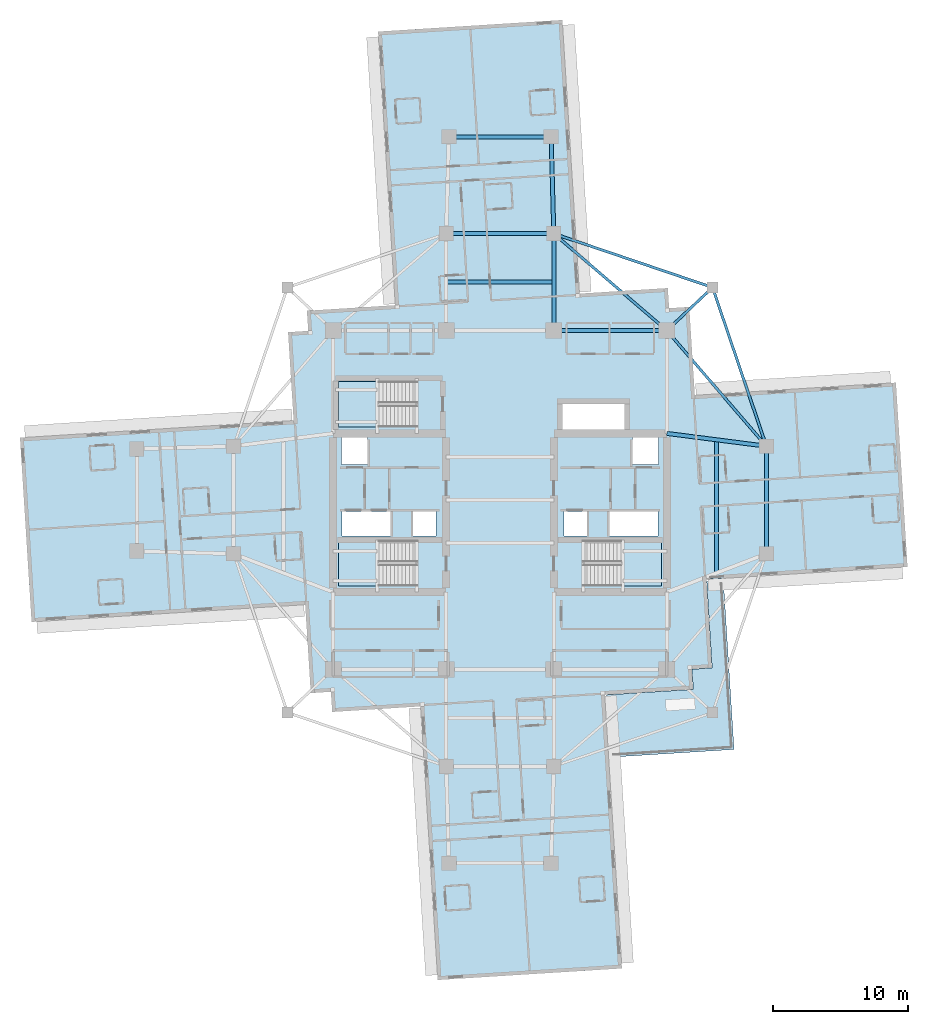
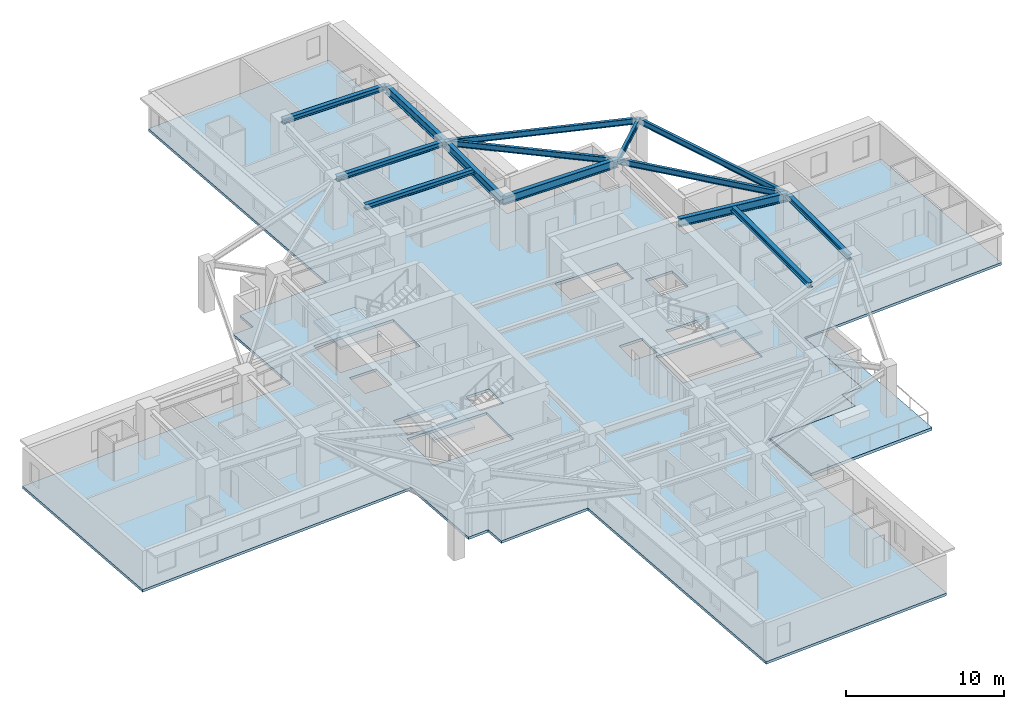
# One storey, part 2 of 14: 14 beams, 5 slabs, 3 elements without a shape of their own.
"""IFC4 building model written with IfcOpenShell, lengths in metres."""

from ifc_helpers import new_model, si_unit, direction, frame, origin, origin_2d, place, context, subcontext, project, spatial, polyline, i_section, outline, extrude, material, layer, layer_set, material_profile, profile_set, type_object, element, aggregate, save


model = new_model("IFC4")

# Units and contexts
model_context = context("Model", 3, precision=1e-05, world=origin(), true_north=direction((0.0, 1.0)))
body_context = subcontext(model_context, "Body", "Model", "MODEL_VIEW")
ifc_project = project(units=[si_unit("LENGTHUNIT", "METRE"), si_unit("AREAUNIT", "SQUARE_METRE"), si_unit("VOLUMEUNIT", "CUBIC_METRE"), si_unit("PLANEANGLEUNIT", "RADIAN"), si_unit("MASSUNIT", "GRAM", prefix="KILO")], contexts=[model_context])

# Site, building, storey
site_placement = place(None, origin())
site = spatial("IfcSite", under=ifc_project, at=site_placement, CompositionType="ELEMENT")
building_placement = place(site_placement, origin())
building = spatial("IfcBuilding", under=site, at=building_placement, Name="Qingluan Cross Belvedere", CompositionType="ELEMENT")
storey_placement = place(building_placement, frame((0.0, 0.0, 120.300048828125)))
storey = spatial("IfcBuildingStorey", under=building, at=storey_placement, Name="L30", CompositionType="ELEMENT", Elevation=120.300048828125)

# Beams
ifc_material_1 = material(Name="Steel Q420GJB", Category="steel")
ifc_material_profile_1 = material_profile(ifc_material_1, i_section(OverallWidth=0.300048828125, OverallDepth=0.389892578125, WebThickness=0.010009765625, FlangeThickness=0.01611328125, FilletRadius=0.01806640625, at=origin_2d()), Name="HM390x300x10x16")
ifc_profile_set_1 = profile_set([ifc_material_profile_1], Name="Steel Q420GJB")
beam_type_1 = type_object("IfcBeamType", Name="Steel_Beam_HM390x300x10x16", PredefinedType="BEAM", material=ifc_profile_set_1)
beam_1_placement = place(storey_placement, frame((19.800048828125, -4.0, 3.5048828125), z_axis=(0.0, 1.0, 0.0), x_axis=(-1.0, 0.0, 0.0)))
element("IfcBeam", 1, at=beam_1_placement, inside=storey, type_object=beam_type_1, Name="Arm E tie L30", PredefinedType="BEAM", context=body_context, shape_type="SweptSolid", body=[
    extrude(i_section(OverallWidth=0.300048828125, OverallDepth=0.389892578125, WebThickness=0.010009765625, FlangeThickness=0.01611328125, FilletRadius=0.01806640625, at=origin_2d()), origin(), (0.0, 0.0, 1.0), 8.0),
])
beam_2_placement = place(storey_placement, frame((16.10009765625, -5.425048828125, 3.5048828125), z_axis=(0.0, 1.0, 0.0), x_axis=(-1.0, 0.0, 0.0)))
element("IfcBeam", 2, at=beam_2_placement, inside=storey, type_object=beam_type_1, Name="Arm E beam L30", PredefinedType="BEAM", context=body_context, shape_type="SweptSolid", body=[
    extrude(i_section(OverallWidth=0.300048828125, OverallDepth=0.389892578125, WebThickness=0.010009765625, FlangeThickness=0.01611328125, FilletRadius=0.01806640625, at=origin_2d()), origin(), (0.0, 0.0, 1.0), 9.900146484375),
])
for number, where, z_axis, x_axis, name in (
    (3, (-4.0, 19.800048828125, 3.5048828125), (1.0, 0.0, 0.0), (0.0, 1.0, 0.0), "Arm N tie L30"),
    (4, (-4.0, 16.199951171875, 3.5048828125), (1.0, 0.0, 0.0), (0.0, 1.0, 0.0), "Arm N beam L30"),
):
    element("IfcBeam", number, at=place(storey_placement, frame(where, z_axis=z_axis, x_axis=x_axis)), inside=storey, type_object=beam_type_1, Name=name, PredefinedType="BEAM", context=body_context, shape_type="SweptSolid", body=[
        extrude(i_section(OverallWidth=0.300048828125, OverallDepth=0.389892578125, WebThickness=0.010009765625, FlangeThickness=0.01611328125, FilletRadius=0.01806640625, at=origin_2d()), origin(), (0.0, 0.0, 1.0), 8.0),
    ])
beam_3_placement = place(storey_placement, frame((-3.800048828125, 27.0, 3.5048828125), z_axis=(1.0, 0.0, 0.0), x_axis=(0.0, 1.0, 0.0)))
element("IfcBeam", 5, at=beam_3_placement, inside=storey, type_object=beam_type_1, Name="Arm N tip transverse beam L30", PredefinedType="BEAM", context=body_context, shape_type="SweptSolid", body=[
    extrude(i_section(OverallWidth=0.300048828125, OverallDepth=0.389892578125, WebThickness=0.010009765625, FlangeThickness=0.01611328125, FilletRadius=0.01806640625, at=origin_2d()), origin(), (0.0, 0.0, 1.0), 7.60009765625),
])
ifc_material_2 = material(Name="Steel Q420GJB", Category="steel")
ifc_material_profile_2 = material_profile(ifc_material_2, i_section(OverallWidth=0.199951171875, OverallDepth=0.449951171875, WebThickness=0.009033203125, FlangeThickness=0.013916015625, FilletRadius=0.01611328125, at=origin_2d()), Name="HN450x200x9x14")
ifc_profile_set_2 = profile_set([ifc_material_profile_2], Name="Steel Q420GJB")
beam_type_2 = type_object("IfcBeamType", Name="Steel_Beam_HN450x200x9x14", PredefinedType="JOIST", material=ifc_profile_set_2)
beam_4_placement = place(storey_placement, frame((12.39990234375, 12.60009765625, 3.474853515625), z_axis=(0.728219948308, 0.685343495546, 0.0), x_axis=(-0.685343495546, 0.728219948308, 0.0)))
element("IfcBeam", 6, at=beam_4_placement, inside=storey, type_object=beam_type_2, Name="Corner beam 1 L30-RNE", PredefinedType="JOIST", context=body_context, shape_type="SweptSolid", body=[
    extrude(i_section(OverallWidth=0.199951171875, OverallDepth=0.449951171875, WebThickness=0.009033203125, FlangeThickness=0.013916015625, FilletRadius=0.01611328125, at=origin_2d()), origin(), (0.0, 0.0, 1.0), 4.669189453125),
])
for number, where, z_axis, x_axis, name in (
    (7, (15.800048828125, 15.800048828125, 3.474853515625), (-0.947066283324, 0.321038089628, 0.0), (-0.321038089628, -0.947066283324, 0.0), "Corner beam 2 L30-RNE"),
    (8, (15.800048828125, 15.800048828125, 3.474853515625), (0.321038089628, -0.947066283324, 0.0), (0.947066283324, 0.321038089628, 0.0), "Corner beam 3 L30-RNE"),
):
    element("IfcBeam", number, at=place(storey_placement, frame(where, z_axis=z_axis, x_axis=x_axis)), inside=storey, type_object=beam_type_2, Name=name, PredefinedType="JOIST", context=body_context, shape_type="SweptSolid", body=[
        extrude(i_section(OverallWidth=0.199951171875, OverallDepth=0.449951171875, WebThickness=0.009033203125, FlangeThickness=0.013916015625, FilletRadius=0.01611328125, at=origin_2d()), origin(), (0.0, 0.0, 1.0), 12.45947265625),
    ])
beam_5_placement = place(storey_placement, frame((12.39990234375, 12.60009765625, 3.474853515625), z_axis=(0.652245077546, -0.75800815221, 0.0), x_axis=(0.75800815221, 0.652245077546, 0.0)))
element("IfcBeam", 9, at=beam_5_placement, inside=storey, type_object=beam_type_2, Name="Corner beam 4 L30-RNE", PredefinedType="JOIST", context=body_context, shape_type="SweptSolid", body=[
    extrude(i_section(OverallWidth=0.199951171875, OverallDepth=0.449951171875, WebThickness=0.009033203125, FlangeThickness=0.013916015625, FilletRadius=0.01611328125, at=origin_2d()), origin(), (0.0, 0.0, 1.0), 11.345703125),
])
beam_6_placement = place(storey_placement, frame((12.39990234375, 12.60009765625, 3.474853515625), z_axis=(-0.759255044656, 0.650793190779, 0.0), x_axis=(-0.650793190779, -0.759255044656, 0.0)))
element("IfcBeam", 10, at=beam_6_placement, inside=storey, type_object=beam_type_2, Name="Corner beam 5 L30-RNE", PredefinedType="JOIST", context=body_context, shape_type="SweptSolid", body=[
    extrude(i_section(OverallWidth=0.199951171875, OverallDepth=0.449951171875, WebThickness=0.009033203125, FlangeThickness=0.013916015625, FilletRadius=0.01611328125, at=origin_2d()), origin(), (0.0, 0.0, 1.0), 11.063232421875),
])
ifc_material_3 = material(Name="Steel Q420GJB", Category="steel")
ifc_material_profile_3 = material_profile(ifc_material_3, i_section(OverallWidth=0.300048828125, OverallDepth=0.64990234375, WebThickness=0.014404296875, FlangeThickness=0.02587890625, FilletRadius=0.027099609375, at=origin_2d()), Name="HEB650")
ifc_profile_set_3 = profile_set([ifc_material_profile_3], Name="Steel Q420GJB")
beam_type_3 = type_object("IfcBeamType", Name="Steel_Girder_HEB650", PredefinedType="USERDEFINED", material=ifc_profile_set_3)
beam_7_placement = place(storey_placement, frame((4.0, 12.60009765625, 3.375), z_axis=(1.0, 0.0, 0.0), x_axis=(0.0, 1.0, 0.0)))
element("IfcBeam", 11, at=beam_7_placement, inside=storey, type_object=beam_type_3, Name="Hub girder L30-HG-N3", ObjectType="GIRDER", PredefinedType="USERDEFINED", context=body_context, shape_type="SweptSolid", body=[
    extrude(i_section(OverallWidth=0.300048828125, OverallDepth=0.64990234375, WebThickness=0.014404296875, FlangeThickness=0.02587890625, FilletRadius=0.027099609375, at=origin_2d()), origin(), (0.0, 0.0, 1.0), 8.39990234375),
])
beam_8_placement = place(storey_placement, frame((12.39990234375, 4.949951171875, 3.375), z_axis=(0.991861120628, -0.12732445714, 0.0), x_axis=(0.12732445714, 0.991861120628, 0.0)))
element("IfcBeam", 12, at=beam_8_placement, inside=storey, type_object=beam_type_3, Name="Arm E radial girder B L30", ObjectType="GIRDER", PredefinedType="USERDEFINED", context=body_context, shape_type="SweptSolid", body=[
    extrude(i_section(OverallWidth=0.300048828125, OverallDepth=0.64990234375, WebThickness=0.014404296875, FlangeThickness=0.02587890625, FilletRadius=0.027099609375, at=origin_2d()), origin(), (0.0, 0.0, 1.0), 7.4609375),
])
beam_9_placement = place(storey_placement, frame((4.0, 12.60009765625, 3.375), z_axis=(0.0, 1.0, 0.0), x_axis=(-1.0, 0.0, 0.0)))
element("IfcBeam", 13, at=beam_9_placement, inside=storey, type_object=beam_type_3, Name="Arm N radial girder B L30", ObjectType="GIRDER", PredefinedType="USERDEFINED", context=body_context, shape_type="SweptSolid", body=[
    extrude(i_section(OverallWidth=0.300048828125, OverallDepth=0.64990234375, WebThickness=0.014404296875, FlangeThickness=0.02587890625, FilletRadius=0.027099609375, at=origin_2d()), origin(), (0.0, 0.0, 1.0), 7.199951171875),
])
beam_10_placement = place(storey_placement, frame((4.0, 19.800048828125, 3.375), z_axis=(-0.027760481514, 0.999614603568, 0.0), x_axis=(-0.999614603568, -0.027760481514, 0.0)))
element("IfcBeam", 14, at=beam_10_placement, inside=storey, type_object=beam_type_3, Name="Arm N outer radial girder B L30", ObjectType="GIRDER", PredefinedType="USERDEFINED", context=body_context, shape_type="SweptSolid", body=[
    extrude(i_section(OverallWidth=0.300048828125, OverallDepth=0.64990234375, WebThickness=0.014404296875, FlangeThickness=0.02587890625, FilletRadius=0.027099609375, at=origin_2d()), origin(), (0.0, 0.0, 1.0), 7.20263671875),
])

# Slab
ifc_material_4 = material(Name="Concrete C40", Category="concrete")
ifc_layer_1 = layer(ifc_material_4, 0.199951171875, Name="FloorSlab_200")
ifc_layer_set_1 = layer_set([ifc_layer_1], Name="Concrete C40")
slab_type_1 = type_object("IfcSlabType", Name="FloorSlab_200", PredefinedType="FLOOR", material=ifc_layer_set_1)
slab_1_placement = place(storey_placement, frame((0.0, 0.0, -0.199951171875)))
element("IfcSlab", 15, at=slab_1_placement, inside=storey, type_object=slab_type_1, Name="Structural floor slab L30", PredefinedType="FLOOR", context=body_context, shape_type="SweptSolid", body=[
    extrude(outline(polyline([(9.064208984375, -34.819580078125), (7.78466796875, -14.479736328125), (14.3515625, -14.066650390625), (14.25732421875, -12.569580078125), (15.75439453125, -12.475341796875), (15.34130859375, -5.908447265625), (30.291748046875, -4.9677734375), (29.43017578125, 8.72509765625), (14.479736328125, 7.78466796875), (14.066650390625, 14.3515625), (12.569580078125, 14.25732421875), (12.475341796875, 15.75439453125), (5.908447265625, 15.34130859375), (4.628662109375, 35.680908203125), (-9.064208984375, 34.819580078125), (-7.78466796875, 14.479736328125), (-14.3515625, 14.066650390625), (-14.25732421875, 12.569580078125), (-15.75439453125, 12.475341796875), (-15.34130859375, 5.908447265625), (-35.680908203125, 4.628662109375), (-34.819580078125, -9.064208984375), (-14.479736328125, -7.78466796875), (-14.066650390625, -14.3515625), (-12.569580078125, -14.25732421875), (-12.475341796875, -15.75439453125), (-5.908447265625, -15.34130859375), (-4.628662109375, -35.680908203125), (9.064208984375, -34.819580078125)]), holes=[polyline([(-12.0, -3.0), (-6.179931640625, -3.0), (-6.179931640625, -6.39990234375), (-12.0, -6.39990234375), (-12.0, -3.0)]), polyline([(6.179931640625, -3.0), (12.0, -3.0), (12.0, -6.39990234375), (6.179931640625, -6.39990234375), (6.179931640625, -3.0)]), polyline([(-12.0, 8.820068359375), (-6.179931640625, 8.820068359375), (-6.179931640625, 5.419921875), (-12.0, 5.419921875), (-12.0, 8.820068359375)]), polyline([(-11.800048828125, 4.64990234375), (-9.85009765625, 4.64990234375), (-9.85009765625, 2.64990234375), (-11.800048828125, 2.64990234375), (-11.800048828125, 4.64990234375)]), polyline([(9.85009765625, 4.64990234375), (11.800048828125, 4.64990234375), (11.800048828125, 2.64990234375), (9.85009765625, 2.64990234375), (9.85009765625, 4.64990234375)]), polyline([(-11.75, -0.840087890625), (-8.14990234375, -0.840087890625), (-8.14990234375, -2.659912109375), (-11.75, -2.659912109375), (-11.75, -0.840087890625)]), polyline([(-6.449951171875, -0.840087890625), (-4.75, -0.840087890625), (-4.75, -2.659912109375), (-6.449951171875, -2.659912109375), (-6.449951171875, -0.840087890625)]), polyline([(4.75, -0.840087890625), (6.449951171875, -0.840087890625), (6.449951171875, -2.659912109375), (4.75, -2.659912109375), (4.75, -0.840087890625)]), polyline([(8.14990234375, -0.840087890625), (11.75, -0.840087890625), (11.75, -2.659912109375), (8.14990234375, -2.659912109375), (8.14990234375, -0.840087890625)]), polyline([(4.64990234375, 7.14990234375), (9.25, 7.14990234375), (9.25, 5.14990234375), (4.64990234375, 5.14990234375), (4.64990234375, 7.14990234375)])]), origin(), (0.0, 0.0, 1.0), 0.199951171875),
])

# Stair, slab
ifc_material_5 = material(Name="Concrete C40", Category="concrete")
stair_type = type_object("IfcStairType", Name="CoreDoglegStair_1620", PredefinedType="HALF_TURN_STAIR", material=ifc_material_5)
stair_1_placement = place(storey_placement, origin())
stair_1 = element("IfcStair", 16, at=stair_1_placement, inside=storey, type_object=stair_type, Name="L30 ST1", PredefinedType="HALF_TURN_STAIR")
ifc_material_6 = material(Name="Concrete C40", Category="concrete")
ifc_layer_2 = layer(ifc_material_6, 0.179931640625, Name="StairLandingSlab_180")
ifc_layer_set_2 = layer_set([ifc_layer_2], Name="Concrete C40")
slab_type_2 = type_object("IfcSlabType", Name="StairLandingSlab_180", PredefinedType="LANDING", material=ifc_layer_set_2)
slab_2_placement = place(storey_placement, frame((0.0, 0.0, 1.75)))
slab_2 = element("IfcSlab", 17, at=slab_2_placement, type_object=slab_type_2, Name="ST1 landing 1", PredefinedType="LANDING", context=body_context, shape_type="SweptSolid", body=[
    extrude(outline(polyline([(-8.97998046875, -3.0), (-12.0, -3.0), (-12.0, -6.39990234375), (-8.97998046875, -6.39990234375), (-8.97998046875, -3.0)])), origin(), (0.0, 0.0, 1.0), 0.199951171875),
])
aggregate(stair_1, [slab_2])

stair_2_placement = place(storey_placement, origin())
stair_2 = element("IfcStair", 18, at=stair_2_placement, inside=storey, type_object=stair_type, Name="L30 ST2", PredefinedType="HALF_TURN_STAIR")
slab_3_placement = place(storey_placement, frame((0.0, 0.0, 1.75)))
slab_3 = element("IfcSlab", 19, at=slab_3_placement, type_object=slab_type_2, Name="ST2 landing 1", PredefinedType="LANDING", context=body_context, shape_type="SweptSolid", body=[
    extrude(outline(polyline([(8.97998046875, -6.39990234375), (12.0, -6.39990234375), (12.0, -3.0), (8.97998046875, -3.0), (8.97998046875, -6.39990234375)])), origin(), (0.0, 0.0, 1.0), 0.199951171875),
])
aggregate(stair_2, [slab_3])

stair_3_placement = place(storey_placement, origin())
stair_3 = element("IfcStair", 20, at=stair_3_placement, inside=storey, type_object=stair_type, Name="L30 ST3", PredefinedType="HALF_TURN_STAIR")
slab_4_placement = place(storey_placement, frame((0.0, 0.0, 1.75)))
slab_4 = element("IfcSlab", 21, at=slab_4_placement, type_object=slab_type_2, Name="ST3 landing 1", PredefinedType="LANDING", context=body_context, shape_type="SweptSolid", body=[
    extrude(outline(polyline([(-8.97998046875, 8.820068359375), (-12.0, 8.820068359375), (-12.0, 5.419921875), (-8.97998046875, 5.419921875), (-8.97998046875, 8.820068359375)])), origin(), (0.0, 0.0, 1.0), 0.199951171875),
])
aggregate(stair_3, [slab_4])

# Slab
ifc_material_7 = material(Name="Concrete C40", Category="concrete")
ifc_layer_3 = layer(ifc_material_7, 0.219970703125, Name="TerraceSlab_220")
ifc_layer_set_3 = layer_set([ifc_layer_3], Name="Concrete C40")
slab_type_3 = type_object("IfcSlabType", Name="TerraceSlab_220", PredefinedType="FLOOR", material=ifc_layer_set_3)
slab_5_placement = place(storey_placement, frame((0.0, 0.0, -0.219970703125)))
element("IfcSlab", 22, at=slab_5_placement, inside=storey, type_object=slab_type_3, Name="Spiralling winter-garden terrace slab L30", PredefinedType="FLOOR", context=body_context, shape_type="SweptSolid", body=[
    extrude(outline(polyline([(15.360107421875, -6.047607421875), (15.76318359375, -12.48046875), (14.26806640625, -12.578857421875), (14.361572265625, -14.06591796875), (14.35400390625, -14.076416015625), (7.9248046875, -14.48095703125), (8.216796875, -19.121826171875), (17.398681640625, -18.544189453125), (16.607666015625, -5.968994140625), (15.360107421875, -6.047607421875)])), origin(), (0.0, 0.0, 1.0), 0.219970703125),
])

save(model, "model.ifc")
